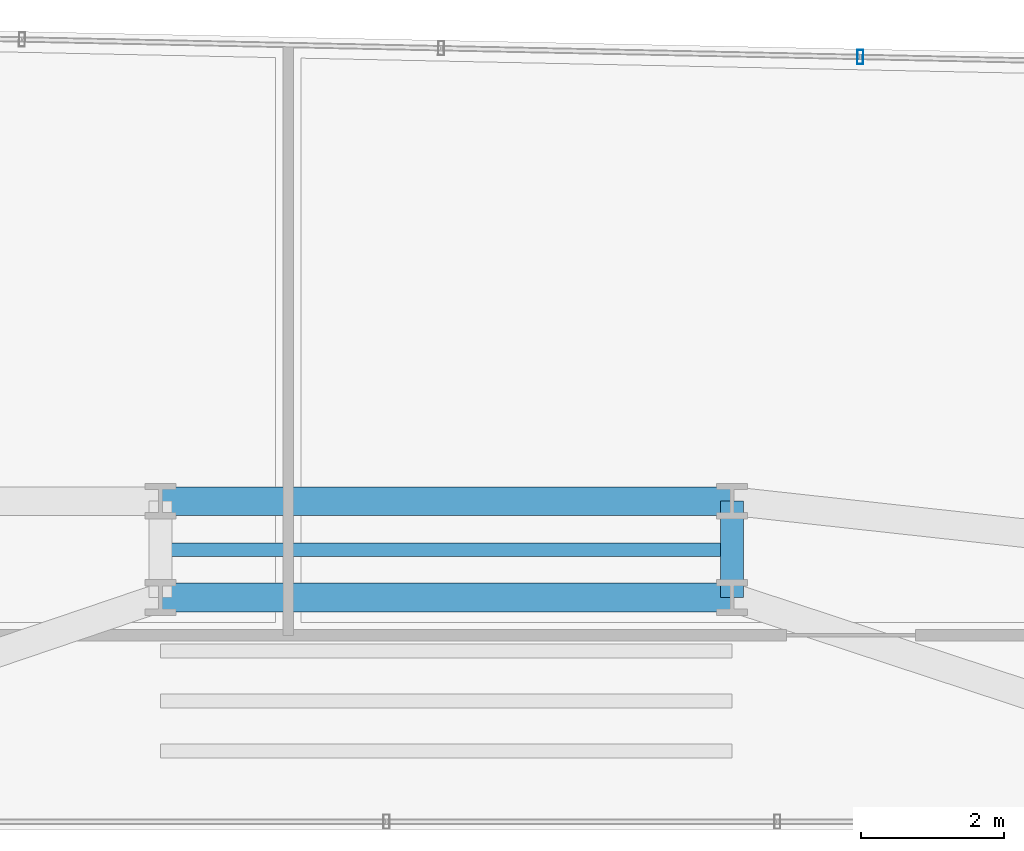
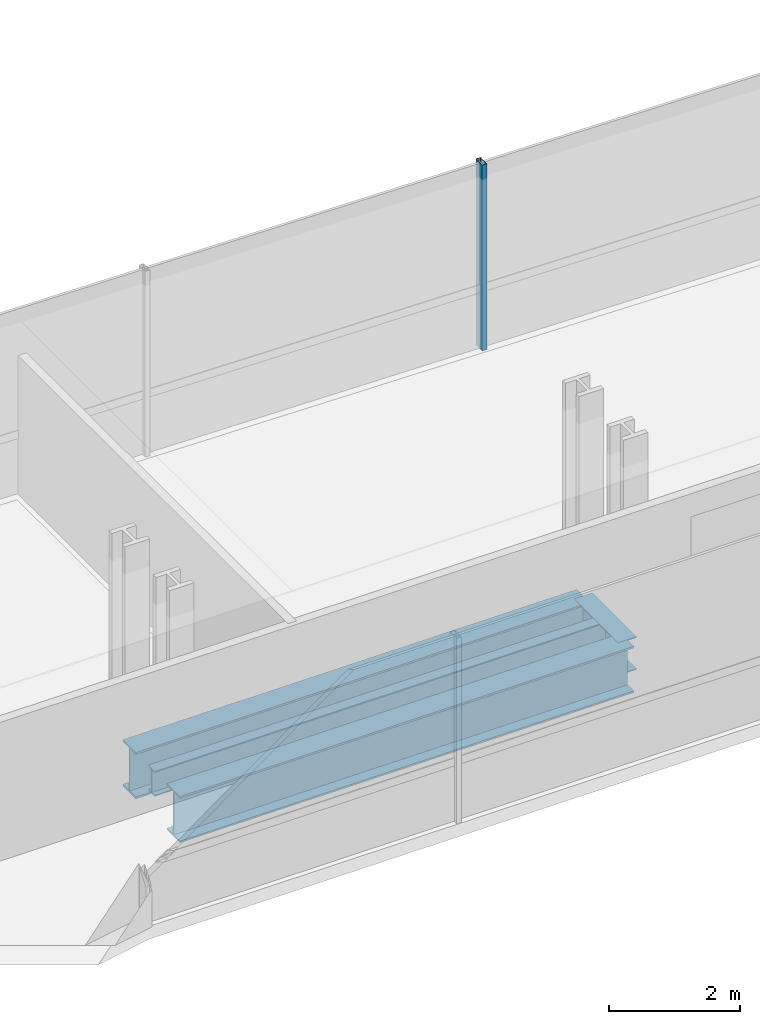
# One storey, part 21 of 41: 4 beams, 1 member, 1 element without a shape of its own.
"""IFC4 building model written with IfcOpenShell, lengths in metres."""

from ifc_helpers import new_model, si_unit, direction, frame, origin, origin_2d, place, context, subcontext, project, spatial, hollow_rectangle, i_section, extrude, source, transform, mapped, material, material_profile, profile_set, type_object, element, aggregate, save


model = new_model("IFC4")

# Units and contexts
model_context = context("Model", 3, precision=1e-05, world=origin(), true_north=direction((0.0, 1.0)))
body_context = subcontext(model_context, "Body", "Model", "MODEL_VIEW")
ifc_project = project(units=[si_unit("LENGTHUNIT", "METRE"), si_unit("AREAUNIT", "SQUARE_METRE"), si_unit("VOLUMEUNIT", "CUBIC_METRE"), si_unit("PLANEANGLEUNIT", "RADIAN"), si_unit("MASSUNIT", "GRAM", prefix="KILO")], contexts=[model_context])

# Site, building, storey
site_placement = place(None, origin())
site = spatial("IfcSite", under=ifc_project, at=site_placement, CompositionType="ELEMENT")
building_placement = place(site_placement, origin())
building = spatial("IfcBuilding", under=site, at=building_placement, Name="Valdorenza Pilgrim Sanctuary Tower", CompositionType="ELEMENT")
storey_placement = place(building_placement, frame((0.0, 0.0, 63.0)))
storey = spatial("IfcBuildingStorey", under=building, at=storey_placement, Name="L15", CompositionType="ELEMENT", Elevation=63.0)

# Beams
ifc_material_1 = material(Name="Steel ASTM A992 Grade 50", Category="steel")
ifc_material_profile_1 = material_profile(ifc_material_1, i_section(OverallWidth=0.39990234375, OverallDepth=0.862060546875, WebThickness=0.019775390625, FlangeThickness=0.032470703125, at=origin_2d()), Name="W33X221")
ifc_profile_set_1 = profile_set([ifc_material_profile_1], Name="Steel ASTM A992 Grade 50")
beam_type_1 = type_object("IfcBeamType", Name="STR-BM-GRD-W33", PredefinedType="BEAM", material=ifc_profile_set_1)
shared_shape_1 = source(origin(), body_context, "Body", "SweptSolid", [
    extrude(i_section(OverallWidth=0.39990234375, OverallDepth=0.862060546875, WebThickness=0.019775390625, FlangeThickness=0.032470703125, at=origin_2d()), origin(), (0.0, 0.0, 1.0), 8.0),
])
for number, where, z_axis, x_axis, name in (
    (1, (-4.0, 13.449951171875, -0.6708984375), (1.0, 0.0, 0.0), (0.0, 1.0, 0.0), "L15 Floor Girder KNK-G2"),
    (2, (-4.0, 14.800048828125, -0.6708984375), (1.0, 0.0, 0.0), (0.0, 1.0, 0.0), "L15 Floor Girder KNK-G5"),
):
    element("IfcBeam", number, at=place(storey_placement, frame(where, z_axis=z_axis, x_axis=x_axis)), inside=storey, type_object=beam_type_1, Name=name, PredefinedType="BEAM", context=body_context, shape_type="MappedRepresentation", body=[
        mapped(shared_shape_1, transform((0.0, 0.0, 0.0), x_axis=(1.0, 0.0, 0.0), y_axis=(0.0, 1.0, 0.0), z_axis=(0.0, 0.0, 1.0), scale=1.0)),
    ])
ifc_material_profile_2 = material_profile(ifc_material_1, i_section(OverallWidth=0.323974609375, OverallDepth=0.611083984375, WebThickness=0.0126953125, FlangeThickness=0.01904296875, at=origin_2d()), Name="W24X104")
ifc_profile_set_2 = profile_set([ifc_material_profile_2], Name="Steel ASTM A992 Grade 50")
beam_type_2 = type_object("IfcBeamType", Name="STR-BM-GRD-W24B", PredefinedType="BEAM", material=ifc_profile_set_2)
shared_shape_2 = source(origin(), body_context, "Body", "SweptSolid", [
    extrude(i_section(OverallWidth=0.323974609375, OverallDepth=0.611083984375, WebThickness=0.0126953125, FlangeThickness=0.01904296875, at=origin_2d()), origin(), (0.0, 0.0, 1.0), 1.35009765625),
])
beam_1_placement = place(storey_placement, frame((4.0, 13.449951171875, -0.54541015625), z_axis=(0.0, 1.0, 0.0), x_axis=(-1.0, 0.0, 0.0)))
element("IfcBeam", 3, at=beam_1_placement, inside=storey, type_object=beam_type_2, Name="L15 Floor Girder KNK-TIE-E", PredefinedType="BEAM", context=body_context, shape_type="MappedRepresentation", body=[
    mapped(shared_shape_2, transform((0.0, 0.0, 0.0), x_axis=(1.0, 0.0, 0.0), y_axis=(0.0, 1.0, 0.0), z_axis=(0.0, 0.0, 1.0), scale=1.0)),
])
ifc_material_profile_3 = material_profile(ifc_material_1, i_section(OverallWidth=0.193115234375, OverallDepth=0.466064453125, WebThickness=0.011474609375, FlangeThickness=0.01904296875, at=origin_2d()), Name="W18X65")
ifc_profile_set_3 = profile_set([ifc_material_profile_3], Name="Steel ASTM A992 Grade 50")
beam_type_3 = type_object("IfcBeamType", Name="STR-BM-JST-W18A", PredefinedType="JOIST", material=ifc_profile_set_3)
shared_shape_3 = source(origin(), body_context, "Body", "SweptSolid", [
    extrude(i_section(OverallWidth=0.193115234375, OverallDepth=0.466064453125, WebThickness=0.011474609375, FlangeThickness=0.01904296875, at=origin_2d()), origin(), (0.0, 0.0, 1.0), 8.0),
])
beam_2_placement = place(storey_placement, frame((-4.0, 14.1201171875, -0.472900390625), z_axis=(1.0, 0.0, 0.0), x_axis=(0.0, 1.0, 0.0)))
element("IfcBeam", 4, at=beam_2_placement, inside=storey, type_object=beam_type_3, Name="L15 Knuckle Composite Joist JST-KNK-4", PredefinedType="JOIST", context=body_context, shape_type="MappedRepresentation", body=[
    mapped(shared_shape_3, transform((0.0, 0.0, 0.0), x_axis=(1.0, 0.0, 0.0), y_axis=(0.0, 1.0, 0.0), z_axis=(0.0, 0.0, 1.0), scale=1.0)),
])

# Curtain wall, member
ifc_material_2 = material(Name="Curtain-wall IGU glazing", Category="glass")
curtain_wall_type = type_object("IfcCurtainWallType", Name="CW-SYS-02", PredefinedType="NOTDEFINED", material=ifc_material_2)
curtain_wall_placement = place(storey_placement, origin())
curtain_wall = element("IfcCurtainWall", 5, at=curtain_wall_placement, inside=storey, type_object=curtain_wall_type, Name="L15 Curtain Wall CW-L15-1-11", PredefinedType="NOTDEFINED")
ifc_material_3 = material(Name="Anodised aluminium AW-6060", Category="aluminium")
ifc_material_profile_4 = material_profile(ifc_material_3, hollow_rectangle(XDim=0.0849609375, YDim=0.199951171875, WallThickness=0.0048828125, at=origin_2d()), Name="ALU-M 200x85x5")
ifc_profile_set_4 = profile_set([ifc_material_profile_4], Name="Anodised aluminium AW-6060")
member_type = type_object("IfcMemberType", Name="CW-MUL-02", PredefinedType="MULLION", material=ifc_profile_set_4)
shared_shape_4 = source(origin(), body_context, "Body", "SweptSolid", [
    extrude(hollow_rectangle(XDim=0.0849609375, YDim=0.199951171875, WallThickness=0.0048828125, at=origin_2d()), origin(), (0.0, 0.0, 1.0), 3.4599609375),
])
member_placement = place(storey_placement, frame((5.797119140625, 21.019287109375, 0.0), z_axis=(0.0, 0.0, 1.0), x_axis=(0.999783234613, -0.020820273474, 0.0)))
member = element("IfcMember", 6, at=member_placement, type_object=member_type, Name="CW-L15-1-11 Mullion 4", PredefinedType="MULLION", context=body_context, shape_type="MappedRepresentation", body=[
    mapped(shared_shape_4, transform((0.0, 0.0, 0.0), x_axis=(1.0, 0.0, 0.0), y_axis=(0.0, 1.0, 0.0), z_axis=(0.0, 0.0, 1.0), scale=1.0)),
])
aggregate(curtain_wall, [member])

save(model, "model.ifc")
